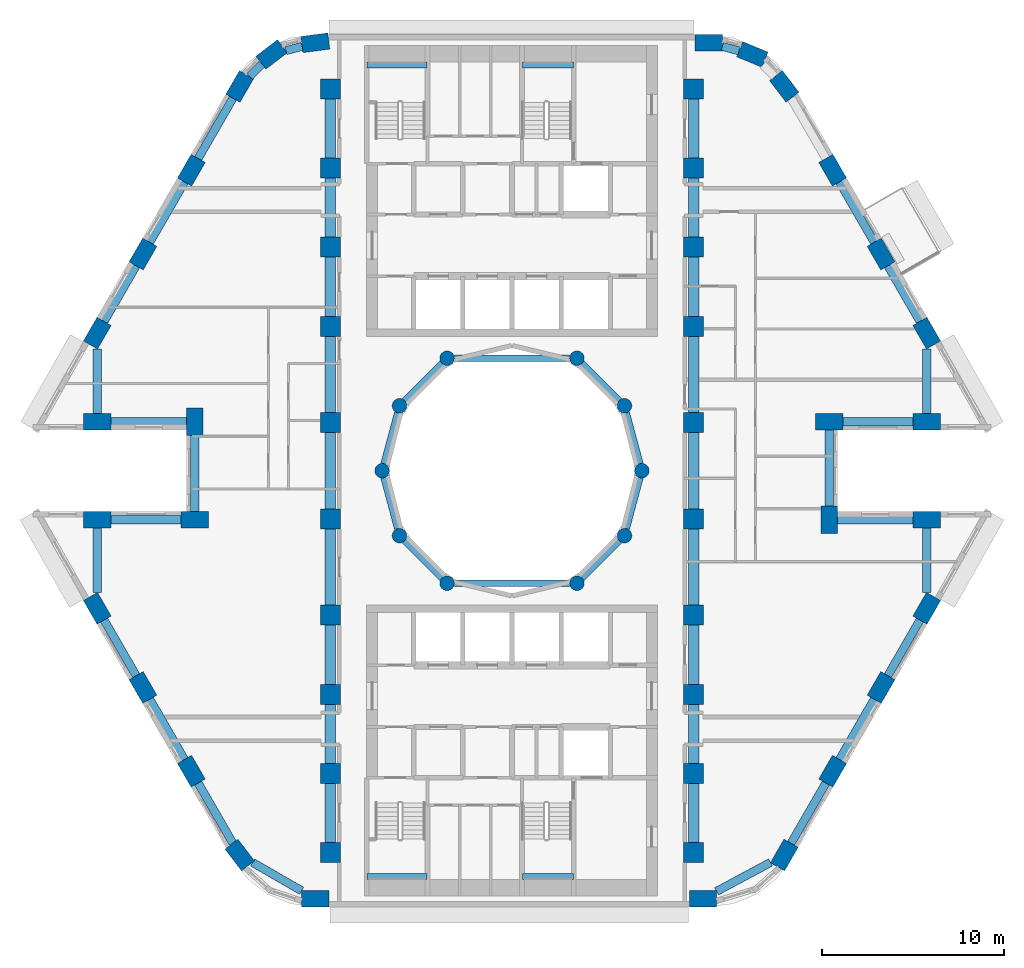
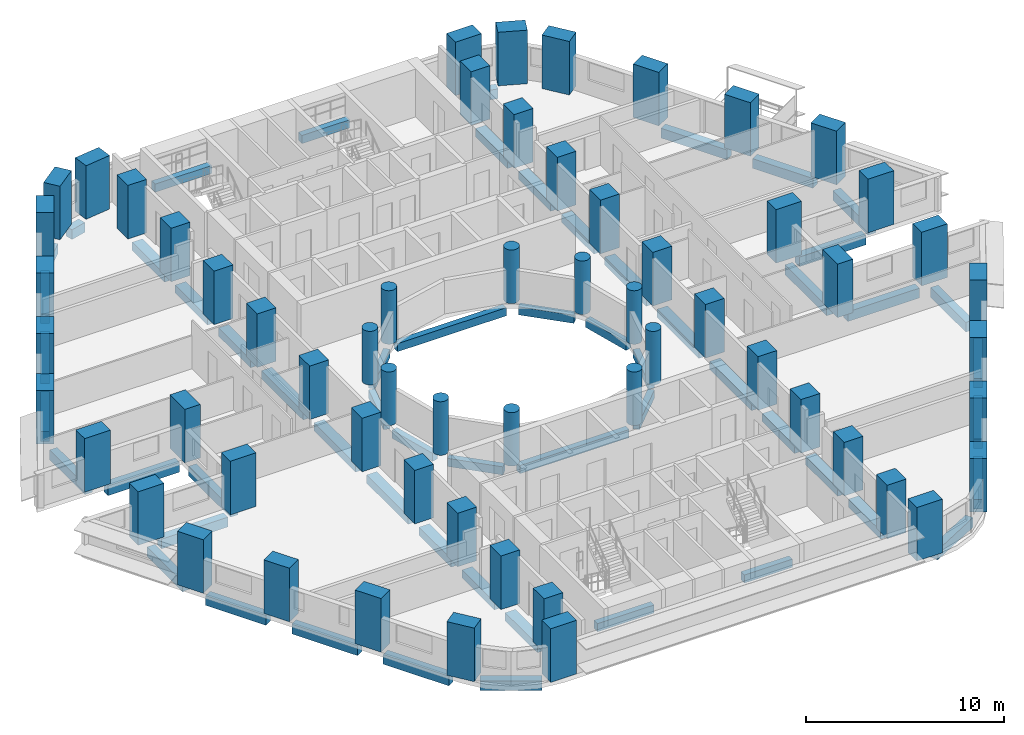
# One storey, part 1 of 13: 60 columns, 58 beams.
"""IFC4 building model written with IfcOpenShell, lengths in metres."""

from ifc_helpers import new_model, si_unit, direction, frame, origin, origin_2d, place, context, subcontext, project, spatial, rectangle, circle, extrude, material, material_profile, profile_set, type_object, element, save


model = new_model("IFC4")

# Units and contexts
model_context = context("Model", 3, precision=1e-05, world=origin(), true_north=direction((0.0, 1.0)))
body_context = subcontext(model_context, "Body", "Model", "MODEL_VIEW")
ifc_project = project(units=[si_unit("LENGTHUNIT", "METRE"), si_unit("AREAUNIT", "SQUARE_METRE"), si_unit("VOLUMEUNIT", "CUBIC_METRE"), si_unit("PLANEANGLEUNIT", "RADIAN"), si_unit("MASSUNIT", "GRAM", prefix="KILO")], contexts=[model_context])

# Site, building, storey
site_placement = place(None, origin())
site = spatial("IfcSite", under=ifc_project, at=site_placement, CompositionType="ELEMENT")
building_placement = place(site_placement, origin())
building = spatial("IfcBuilding", under=site, at=building_placement, Name="Nakaniwa Court", CompositionType="ELEMENT")
storey_placement = place(building_placement, frame((0.0, 0.0, 67.800048828125)))
storey = spatial("IfcBuildingStorey", under=building, at=storey_placement, Name="L18", CompositionType="ELEMENT", Elevation=67.800048828125)

# Columns
ifc_material_1 = material(Name="Concrete C100/115", Category="concrete")
ifc_material_profile_1 = material_profile(ifc_material_1, rectangle(XDim=1.10009765625, YDim=1.10009765625, at=origin_2d()), Name="Concrete C100/115 RC 1100x1100 spine column")
ifc_profile_set_1 = profile_set([ifc_material_profile_1], Name="Concrete C100/115")
column_type_1 = type_object("IfcColumnType", Name="Concrete C100/115 RC 1100x1100 spine column", PredefinedType="COLUMN", material=ifc_profile_set_1)
for number, where, z_axis, x_axis, name in (
    (1, (90.0, 59.0, 0.0), (0.0, 0.0, 1.0), (0.0, 1.0, 0.0), "COLUMN CS-01"),
    (2, (90.0, 63.35009765625, 0.0), (0.0, 0.0, 1.0), (0.0, 1.0, 0.0), "COLUMN CS-02"),
    (3, (90.0, 67.699951171875, 0.0), (0.0, 0.0, 1.0), (0.0, 1.0, 0.0), "COLUMN CS-03"),
    (4, (90.0, 72.050048828125, 0.0), (0.0, 0.0, 1.0), (0.0, 1.0, 0.0), "COLUMN CS-04"),
    (5, (90.0, 77.35009765625, 0.0), (0.0, 0.0, 1.0), (0.0, 1.0, 0.0), "COLUMN CS-05"),
    (6, (90.0, 82.64990234375, 0.0), (0.0, 0.0, 1.0), (0.0, 1.0, 0.0), "COLUMN CS-06"),
    (7, (90.0, 87.949951171875, 0.0), (0.0, 0.0, 1.0), (0.0, 1.0, 0.0), "COLUMN CS-07"),
    (8, (90.0, 92.300048828125, 0.0), (0.0, 0.0, 1.0), (0.0, 1.0, 0.0), "COLUMN CS-08"),
    (9, (90.0, 96.64990234375, 0.0), (0.0, 0.0, 1.0), (0.0, 1.0, 0.0), "COLUMN CS-09"),
    (10, (90.0, 101.0, 0.0), (0.0, 0.0, 1.0), (0.0, 1.0, 0.0), "COLUMN CS-10"),
    (11, (70.0, 101.0, 0.0), (0.0, 0.0, 1.0), (0.0, -1.0, 0.0), "COLUMN CS-11"),
    (12, (70.0, 96.64990234375, 0.0), (0.0, 0.0, 1.0), (0.0, -1.0, 0.0), "COLUMN CS-12"),
    (13, (70.0, 92.300048828125, 0.0), (0.0, 0.0, 1.0), (0.0, -1.0, 0.0), "COLUMN CS-13"),
    (14, (70.0, 87.949951171875, 0.0), (0.0, 0.0, 1.0), (0.0, -1.0, 0.0), "COLUMN CS-14"),
    (15, (70.0, 82.64990234375, 0.0), (0.0, 0.0, 1.0), (0.0, -1.0, 0.0), "COLUMN CS-15"),
    (16, (70.0, 77.35009765625, 0.0), (0.0, 0.0, 1.0), (0.0, -1.0, 0.0), "COLUMN CS-16"),
    (17, (70.0, 72.050048828125, 0.0), (0.0, 0.0, 1.0), (0.0, -1.0, 0.0), "COLUMN CS-17"),
    (18, (70.0, 67.699951171875, 0.0), (0.0, 0.0, 1.0), (0.0, -1.0, 0.0), "COLUMN CS-18"),
    (19, (70.0, 63.35009765625, 0.0), (0.0, 0.0, 1.0), (0.0, -1.0, 0.0), "COLUMN CS-19"),
    (20, (70.0, 59.0, 0.0), (0.0, 0.0, 1.0), (0.0, -1.0, 0.0), "COLUMN CS-20"),
):
    element("IfcColumn", number, at=place(storey_placement, frame(where, z_axis=z_axis, x_axis=x_axis)), inside=storey, type_object=column_type_1, Name=name, PredefinedType="COLUMN", context=body_context, shape_type="SweptSolid", body=[
        extrude(rectangle(XDim=1.10009765625, YDim=1.10009765625, at=origin_2d()), origin(), (0.0, 0.0, 1.0), 3.300048828125),
    ])
ifc_material_profile_2 = material_profile(ifc_material_1, rectangle(XDim=1.5, YDim=0.89990234375, at=origin_2d()), Name="Concrete C100/115 RC 1500x900 perimeter column")
ifc_profile_set_2 = profile_set([ifc_material_profile_2], Name="Concrete C100/115")
column_type_2 = type_object("IfcColumnType", Name="Concrete C100/115 RC 1500x900 perimeter column", PredefinedType="COLUMN", material=ifc_profile_set_2)
for number, where, z_axis, x_axis, name in (
    (21, (69.17529296875, 103.550048828125, 0.0), (0.0, 0.0, 1.0), (-0.991442583111, -0.130543496177, 0.0), "COLUMN CO-01"),
    (22, (66.772705078125, 102.91015625, 0.0), (0.0, 0.0, 1.0), (-0.793363965062, -0.608747582288, 0.0), "COLUMN CO-02"),
    (23, (65.017578125, 101.1494140625, 0.0), (0.0, 0.0, 1.0), (-0.5, -0.866025403784, 0.0), "COLUMN CO-03"),
    (24, (62.3544921875, 96.537109375, 0.0), (0.0, 0.0, 1.0), (-0.5, -0.866025403784, 0.0), "COLUMN CO-04"),
    (25, (59.691650390625, 91.9248046875, 0.0), (0.0, 0.0, 1.0), (-0.5, -0.866025403784, 0.0), "COLUMN CO-05"),
    (26, (57.177001953125, 87.569580078125, 0.0), (0.0, 0.0, 1.0), (-0.5, -0.866025403784, 0.0), "COLUMN CO-06"),
    (27, (57.177001953125, 82.699951171875, 0.0), (0.0, 0.0, 1.0), (1.0, 0.0, 0.0), "COLUMN CO-08"),
    (28, (62.54150390625, 82.699951171875, 0.0), (0.0, 0.0, 1.0), (0.0, -1.0, 0.0), "COLUMN CO-09"),
    (29, (62.54150390625, 77.300048828125, 0.0), (0.0, 0.0, 1.0), (-1.0, 0.0, 0.0), "COLUMN CO-10"),
    (30, (57.177001953125, 77.300048828125, 0.0), (0.0, 0.0, 1.0), (-1.0, 0.0, 0.0), "COLUMN CO-11"),
    (31, (57.177001953125, 72.430419921875, 0.0), (0.0, 0.0, 1.0), (0.5, -0.866025403784, 0.0), "COLUMN CO-13"),
    (32, (59.691650390625, 68.0751953125, 0.0), (0.0, 0.0, 1.0), (0.5, -0.866025403784, 0.0), "COLUMN CO-14"),
    (33, (62.3544921875, 63.462890625, 0.0), (0.0, 0.0, 1.0), (0.5, -0.866025403784, 0.0), "COLUMN CO-15"),
    (34, (65.017578125, 58.8505859375, 0.0), (0.0, 0.0, 1.0), (0.608761429009, -0.793353340291, 0.0), "COLUMN CO-16"),
    (35, (69.17529296875, 56.449951171875, 0.0), (0.0, 0.0, 1.0), (1.0, 0.0, 0.0), "COLUMN CO-17"),
    (36, (90.507080078125, 56.449951171875, 0.0), (0.0, 0.0, 1.0), (1.0, 0.0, 0.0), "COLUMN CO-21"),
    (37, (94.982421875, 58.8505859375, 0.0), (0.0, 0.0, 1.0), (0.5, 0.866025403784, 0.0), "COLUMN CO-22"),
    (38, (97.6455078125, 63.462890625, 0.0), (0.0, 0.0, 1.0), (0.5, 0.866025403784, 0.0), "COLUMN CO-23"),
    (39, (100.308349609375, 68.0751953125, 0.0), (0.0, 0.0, 1.0), (0.5, 0.866025403784, 0.0), "COLUMN CO-24"),
    (40, (102.822998046875, 72.430419921875, 0.0), (0.0, 0.0, 1.0), (0.5, 0.866025403784, 0.0), "COLUMN CO-25"),
    (41, (102.822998046875, 77.300048828125, 0.0), (0.0, 0.0, 1.0), (-1.0, 0.0, 0.0), "COLUMN CO-27"),
    (42, (97.45849609375, 77.300048828125, 0.0), (0.0, 0.0, 1.0), (0.0, 1.0, 0.0), "COLUMN CO-28"),
    (43, (97.45849609375, 82.699951171875, 0.0), (0.0, 0.0, 1.0), (1.0, 0.0, 0.0), "COLUMN CO-29"),
    (44, (102.822998046875, 82.699951171875, 0.0), (0.0, 0.0, 1.0), (1.0, 0.0, 0.0), "COLUMN CO-30"),
    (45, (102.822998046875, 87.569580078125, 0.0), (0.0, 0.0, 1.0), (-0.5, 0.866025403784, 0.0), "COLUMN CO-32"),
    (46, (100.308349609375, 91.9248046875, 0.0), (0.0, 0.0, 1.0), (-0.5, 0.866025403784, 0.0), "COLUMN CO-33"),
    (47, (97.6455078125, 96.537109375, 0.0), (0.0, 0.0, 1.0), (-0.5, 0.866025403784, 0.0), "COLUMN CO-34"),
    (48, (94.982421875, 101.1494140625, 0.0), (0.0, 0.0, 1.0), (-0.608761429009, 0.793353340291, 0.0), "COLUMN CO-35"),
    (49, (93.227294921875, 102.91015625, 0.0), (0.0, 0.0, 1.0), (-0.923879532511, 0.382683432365, 0.0), "COLUMN CO-36"),
    (50, (90.82470703125, 103.550048828125, 0.0), (0.0, 0.0, 1.0), (-1.0, 0.0, 0.0), "COLUMN CO-37"),
):
    element("IfcColumn", number, at=place(storey_placement, frame(where, z_axis=z_axis, x_axis=x_axis)), inside=storey, type_object=column_type_2, Name=name, PredefinedType="COLUMN", context=body_context, shape_type="SweptSolid", body=[
        extrude(rectangle(XDim=1.5, YDim=0.89990234375, at=origin_2d()), origin(), (0.0, 0.0, 1.0), 3.300048828125),
    ])
ifc_material_profile_3 = material_profile(ifc_material_1, circle(Radius=0.39990234375, at=origin_2d()), Name="Concrete C100/115 RC D800 inner ring column")
ifc_profile_set_3 = profile_set([ifc_material_profile_3], Name="Concrete C100/115")
column_type_3 = type_object("IfcColumnType", Name="Concrete C100/115 RC D800 inner ring column", PredefinedType="COLUMN", material=ifc_profile_set_3)
for number, where, z_axis, x_axis, name in (
    (51, (87.14990234375, 80.0, 0.0), (0.0, 0.0, 1.0), (0.0, 1.0, 0.0), "COLUMN CI-01"),
    (52, (86.192138671875, 83.574951171875, 0.0), (0.0, 0.0, 1.0), (-0.5, 0.866025403784, 0.0), "COLUMN CI-02"),
    (53, (83.574951171875, 86.192138671875, 0.0), (0.0, 0.0, 1.0), (-0.866025403784, 0.5, 0.0), "COLUMN CI-03"),
    (54, (76.425048828125, 86.192138671875, 0.0), (0.0, 0.0, 1.0), (-0.866025403784, -0.5, 0.0), "COLUMN CI-05"),
    (55, (73.807861328125, 83.574951171875, 0.0), (0.0, 0.0, 1.0), (-0.5, -0.866025403784, 0.0), "COLUMN CI-06"),
    (56, (72.85009765625, 80.0, 0.0), (0.0, 0.0, 1.0), (0.0, -1.0, 0.0), "COLUMN CI-07"),
    (57, (73.807861328125, 76.425048828125, 0.0), (0.0, 0.0, 1.0), (0.5, -0.866025403784, 0.0), "COLUMN CI-08"),
    (58, (76.425048828125, 73.807861328125, 0.0), (0.0, 0.0, 1.0), (0.866025403784, -0.5, 0.0), "COLUMN CI-09"),
    (59, (83.574951171875, 73.807861328125, 0.0), (0.0, 0.0, 1.0), (0.866025403784, 0.5, 0.0), "COLUMN CI-11"),
    (60, (86.192138671875, 76.425048828125, 0.0), (0.0, 0.0, 1.0), (0.5, 0.866025403784, 0.0), "COLUMN CI-12"),
):
    element("IfcColumn", number, at=place(storey_placement, frame(where, z_axis=z_axis, x_axis=x_axis)), inside=storey, type_object=column_type_3, Name=name, PredefinedType="COLUMN", context=body_context, shape_type="SweptSolid", body=[
        extrude(circle(Radius=0.39990234375, at=origin_2d()), origin(), (0.0, 0.0, 1.0), 3.300048828125),
    ])

# Beams
ifc_material_profile_4 = material_profile(ifc_material_1, rectangle(XDim=0.35009765625, YDim=0.5, at=origin_2d()), Name="Concrete C100/115 RC 350x500 ring beam")
ifc_profile_set_4 = profile_set([ifc_material_profile_4], Name="Concrete C100/115")
beam_type_1 = type_object("IfcBeamType", Name="Concrete C100/115 RC 350x500 ring beam", PredefinedType="BEAM", material=ifc_profile_set_4)
beam_1_placement = place(storey_placement, frame((87.04638671875, 80.386474609375, -0.525146484375), z_axis=(-0.258778150207, 0.965936783115, 0.0), x_axis=(-0.965936783115, -0.258778150207, 0.0)))
element("IfcBeam", 61, at=beam_1_placement, inside=storey, type_object=beam_type_1, Name="RING BEAM", PredefinedType="BEAM", context=body_context, shape_type="SweptSolid", body=[
    extrude(rectangle(XDim=0.35009765625, YDim=0.5, at=origin_2d()), origin(), (0.0, 0.0, 1.0), 2.901123046875),
])
beam_2_placement = place(storey_placement, frame((85.9091796875, 83.85791015625, -0.525146484375), z_axis=(-0.707106781187, 0.707106781187, 0.0), x_axis=(-0.707106781187, -0.707106781187, 0.0)))
element("IfcBeam", 62, at=beam_2_placement, inside=storey, type_object=beam_type_1, Name="RING BEAM", PredefinedType="BEAM", context=body_context, shape_type="SweptSolid", body=[
    extrude(rectangle(XDim=0.35009765625, YDim=0.5, at=origin_2d()), origin(), (0.0, 0.0, 1.0), 2.90087890625),
])
beam_3_placement = place(storey_placement, frame((83.175048828125, 86.192138671875, -0.525146484375), z_axis=(-1.0, 0.0, 0.0), x_axis=(0.0, -1.0, 0.0)))
element("IfcBeam", 63, at=beam_3_placement, inside=storey, type_object=beam_type_1, Name="RING BEAM", PredefinedType="BEAM", context=body_context, shape_type="SweptSolid", body=[
    extrude(rectangle(XDim=0.35009765625, YDim=0.5, at=origin_2d()), origin(), (0.0, 0.0, 1.0), 6.35009765625),
])
beam_4_placement = place(storey_placement, frame((76.14208984375, 85.9091796875, -0.525146484375), z_axis=(-0.707106781187, -0.707106781187, 0.0), x_axis=(0.707106781187, -0.707106781187, 0.0)))
element("IfcBeam", 64, at=beam_4_placement, inside=storey, type_object=beam_type_1, Name="RING BEAM", PredefinedType="BEAM", context=body_context, shape_type="SweptSolid", body=[
    extrude(rectangle(XDim=0.35009765625, YDim=0.5, at=origin_2d()), origin(), (0.0, 0.0, 1.0), 2.90087890625),
])
for number, where, z_axis, x_axis, name in (
    (65, (73.704345703125, 83.188720703125, -0.525146484375), (-0.258778150207, -0.965936783115, 0.0), (0.965936783115, -0.258778150207, 0.0), "RING BEAM"),
    (66, (72.95361328125, 79.613525390625, -0.525146484375), (0.258778150207, -0.965936783115, 0.0), (0.965936783115, 0.258778150207, 0.0), "RING BEAM"),
):
    element("IfcBeam", number, at=place(storey_placement, frame(where, z_axis=z_axis, x_axis=x_axis)), inside=storey, type_object=beam_type_1, Name=name, PredefinedType="BEAM", context=body_context, shape_type="SweptSolid", body=[
        extrude(rectangle(XDim=0.35009765625, YDim=0.5, at=origin_2d()), origin(), (0.0, 0.0, 1.0), 2.901123046875),
    ])
beam_5_placement = place(storey_placement, frame((74.0908203125, 76.14208984375, -0.525146484375), z_axis=(0.707106781187, -0.707106781187, 0.0), x_axis=(0.707106781187, 0.707106781187, 0.0)))
element("IfcBeam", 67, at=beam_5_placement, inside=storey, type_object=beam_type_1, Name="RING BEAM", PredefinedType="BEAM", context=body_context, shape_type="SweptSolid", body=[
    extrude(rectangle(XDim=0.35009765625, YDim=0.5, at=origin_2d()), origin(), (0.0, 0.0, 1.0), 2.90087890625),
])
beam_6_placement = place(storey_placement, frame((76.824951171875, 73.807861328125, -0.525146484375), z_axis=(1.0, 0.0, 0.0), x_axis=(0.0, 1.0, 0.0)))
element("IfcBeam", 68, at=beam_6_placement, inside=storey, type_object=beam_type_1, Name="RING BEAM", PredefinedType="BEAM", context=body_context, shape_type="SweptSolid", body=[
    extrude(rectangle(XDim=0.35009765625, YDim=0.5, at=origin_2d()), origin(), (0.0, 0.0, 1.0), 6.35009765625),
])
beam_7_placement = place(storey_placement, frame((83.85791015625, 74.0908203125, -0.525146484375), z_axis=(0.707106781187, 0.707106781187, 0.0), x_axis=(-0.707106781187, 0.707106781187, 0.0)))
element("IfcBeam", 69, at=beam_7_placement, inside=storey, type_object=beam_type_1, Name="RING BEAM", PredefinedType="BEAM", context=body_context, shape_type="SweptSolid", body=[
    extrude(rectangle(XDim=0.35009765625, YDim=0.5, at=origin_2d()), origin(), (0.0, 0.0, 1.0), 2.90087890625),
])
beam_8_placement = place(storey_placement, frame((86.295654296875, 76.811279296875, -0.525146484375), z_axis=(0.258778150207, 0.965936783115, 0.0), x_axis=(-0.965936783115, 0.258778150207, 0.0)))
element("IfcBeam", 70, at=beam_8_placement, inside=storey, type_object=beam_type_1, Name="RING BEAM", PredefinedType="BEAM", context=body_context, shape_type="SweptSolid", body=[
    extrude(rectangle(XDim=0.35009765625, YDim=0.5, at=origin_2d()), origin(), (0.0, 0.0, 1.0), 2.901123046875),
])
ifc_material_profile_5 = material_profile(ifc_material_1, rectangle(XDim=0.449951171875, YDim=0.60009765625, at=origin_2d()), Name="Concrete C100/115 RC 450x600 spandrel beam")
ifc_profile_set_5 = profile_set([ifc_material_profile_5], Name="Concrete C100/115")
beam_type_2 = type_object("IfcBeamType", Name="Concrete C100/115 RC 450x600 spandrel beam", PredefinedType="BEAM", material=ifc_profile_set_5)
beam_9_placement = place(storey_placement, frame((68.444580078125, 103.35546875, -0.574951171875), z_axis=(-0.966287893493, -0.25746399144, 0.0), x_axis=(0.25746399144, -0.966287893493, 0.0)))
element("IfcBeam", 71, at=beam_9_placement, inside=storey, type_object=beam_type_2, Name="SPANDREL BEAM", PredefinedType="BEAM", context=body_context, shape_type="SweptSolid", body=[
    extrude(rectangle(XDim=0.449951171875, YDim=0.60009765625, at=origin_2d()), origin(), (0.0, 0.0, 1.0), 0.91796875),
])
beam_10_placement = place(storey_placement, frame((66.238525390625, 102.374267578125, -0.574951171875), z_axis=(-0.706081618928, -0.708130459317, 0.0), x_axis=(0.708130459317, -0.706081618928, 0.0)))
element("IfcBeam", 72, at=beam_10_placement, inside=storey, type_object=beam_type_2, Name="SPANDREL BEAM", PredefinedType="BEAM", context=body_context, shape_type="SweptSolid", body=[
    extrude(rectangle(XDim=0.449951171875, YDim=0.60009765625, at=origin_2d()), origin(), (0.0, 0.0, 1.0), 0.953369140625),
])
beam_11_placement = place(storey_placement, frame((64.642578125, 100.5, -0.574951171875), z_axis=(-0.500009674092, -0.866019818373, 0.0), x_axis=(0.866019818373, -0.500009674092, 0.0)))
element("IfcBeam", 73, at=beam_11_placement, inside=storey, type_object=beam_type_2, Name="SPANDREL BEAM", PredefinedType="BEAM", context=body_context, shape_type="SweptSolid", body=[
    extrude(rectangle(XDim=0.449951171875, YDim=0.60009765625, at=origin_2d()), origin(), (0.0, 0.0, 1.0), 3.826171875),
])
beam_12_placement = place(storey_placement, frame((61.9794921875, 95.8876953125, -0.574951171875), z_axis=(-0.499961815444, -0.866047448526, 0.0), x_axis=(0.866047448526, -0.499961815444, 0.0)))
element("IfcBeam", 74, at=beam_12_placement, inside=storey, type_object=beam_type_2, Name="SPANDREL BEAM", PredefinedType="BEAM", context=body_context, shape_type="SweptSolid", body=[
    extrude(rectangle(XDim=0.449951171875, YDim=0.60009765625, at=origin_2d()), origin(), (0.0, 0.0, 1.0), 3.825927734375),
])
beam_13_placement = place(storey_placement, frame((59.316650390625, 91.275146484375, -0.574951171875), z_axis=(-0.500067800301, -0.865986255723, 0.0), x_axis=(0.865986255723, -0.500067800301, 0.0)))
element("IfcBeam", 75, at=beam_13_placement, inside=storey, type_object=beam_type_2, Name="SPANDREL BEAM", PredefinedType="BEAM", context=body_context, shape_type="SweptSolid", body=[
    extrude(rectangle(XDim=0.449951171875, YDim=0.60009765625, at=origin_2d()), origin(), (0.0, 0.0, 1.0), 3.52880859375),
])
beam_14_placement = place(storey_placement, frame((57.177001953125, 86.70361328125, -0.574951171875), z_axis=(0.0, -1.0, 0.0), x_axis=(1.0, 0.0, 0.0)))
element("IfcBeam", 76, at=beam_14_placement, inside=storey, type_object=beam_type_2, Name="SPANDREL BEAM", PredefinedType="BEAM", context=body_context, shape_type="SweptSolid", body=[
    extrude(rectangle(XDim=0.449951171875, YDim=0.60009765625, at=origin_2d()), origin(), (0.0, 0.0, 1.0), 3.5537109375),
])
beam_15_placement = place(storey_placement, frame((57.927001953125, 82.699951171875, -0.574951171875), z_axis=(1.0, 0.0, 0.0), x_axis=(0.0, 1.0, 0.0)))
element("IfcBeam", 77, at=beam_15_placement, inside=storey, type_object=beam_type_2, Name="SPANDREL BEAM", PredefinedType="BEAM", context=body_context, shape_type="SweptSolid", body=[
    extrude(rectangle(XDim=0.449951171875, YDim=0.60009765625, at=origin_2d()), origin(), (0.0, 0.0, 1.0), 4.16455078125),
])
beam_16_placement = place(storey_placement, frame((62.54150390625, 81.949951171875, -0.574951171875), z_axis=(0.0, -1.0, 0.0), x_axis=(1.0, 0.0, 0.0)))
element("IfcBeam", 78, at=beam_16_placement, inside=storey, type_object=beam_type_2, Name="SPANDREL BEAM", PredefinedType="BEAM", context=body_context, shape_type="SweptSolid", body=[
    extrude(rectangle(XDim=0.449951171875, YDim=0.60009765625, at=origin_2d()), origin(), (0.0, 0.0, 1.0), 4.199951171875),
])
beam_17_placement = place(storey_placement, frame((61.79150390625, 77.300048828125, -0.574951171875), z_axis=(-1.0, 0.0, 0.0), x_axis=(0.0, -1.0, 0.0)))
element("IfcBeam", 79, at=beam_17_placement, inside=storey, type_object=beam_type_2, Name="SPANDREL BEAM", PredefinedType="BEAM", context=body_context, shape_type="SweptSolid", body=[
    extrude(rectangle(XDim=0.449951171875, YDim=0.60009765625, at=origin_2d()), origin(), (0.0, 0.0, 1.0), 3.864501953125),
])
beam_18_placement = place(storey_placement, frame((57.177001953125, 76.85009765625, -0.574951171875), z_axis=(0.0, -1.0, 0.0), x_axis=(1.0, 0.0, 0.0)))
element("IfcBeam", 80, at=beam_18_placement, inside=storey, type_object=beam_type_2, Name="SPANDREL BEAM", PredefinedType="BEAM", context=body_context, shape_type="SweptSolid", body=[
    extrude(rectangle(XDim=0.449951171875, YDim=0.60009765625, at=origin_2d()), origin(), (0.0, 0.0, 1.0), 3.5537109375),
])
beam_19_placement = place(storey_placement, frame((57.552001953125, 71.78076171875, -0.574951171875), z_axis=(0.500067800301, -0.865986255723, 0.0), x_axis=(0.865986255723, 0.500067800301, 0.0)))
element("IfcBeam", 81, at=beam_19_placement, inside=storey, type_object=beam_type_2, Name="SPANDREL BEAM", PredefinedType="BEAM", context=body_context, shape_type="SweptSolid", body=[
    extrude(rectangle(XDim=0.449951171875, YDim=0.60009765625, at=origin_2d()), origin(), (0.0, 0.0, 1.0), 3.52880859375),
])
beam_20_placement = place(storey_placement, frame((60.066650390625, 67.42578125, -0.574951171875), z_axis=(0.499961815444, -0.866047448526, 0.0), x_axis=(0.866047448526, 0.499961815444, 0.0)))
element("IfcBeam", 82, at=beam_20_placement, inside=storey, type_object=beam_type_2, Name="SPANDREL BEAM", PredefinedType="BEAM", context=body_context, shape_type="SweptSolid", body=[
    extrude(rectangle(XDim=0.449951171875, YDim=0.60009765625, at=origin_2d()), origin(), (0.0, 0.0, 1.0), 3.825927734375),
])
beam_21_placement = place(storey_placement, frame((62.7294921875, 62.8134765625, -0.574951171875), z_axis=(0.500023067617, -0.86601208528, 0.0), x_axis=(0.86601208528, 0.500023067617, 0.0)))
element("IfcBeam", 83, at=beam_21_placement, inside=storey, type_object=beam_type_2, Name="SPANDREL BEAM", PredefinedType="BEAM", context=body_context, shape_type="SweptSolid", body=[
    extrude(rectangle(XDim=0.449951171875, YDim=0.60009765625, at=origin_2d()), origin(), (0.0, 0.0, 1.0), 3.819580078125),
])
beam_22_placement = place(storey_placement, frame((65.720458984375, 58.444580078125, -0.574951171875), z_axis=(0.866041096587, -0.499972818284, 0.0), x_axis=(0.499972818284, 0.866041096587, 0.0)))
element("IfcBeam", 84, at=beam_22_placement, inside=storey, type_object=beam_type_2, Name="SPANDREL BEAM", PredefinedType="BEAM", context=body_context, shape_type="SweptSolid", body=[
    extrude(rectangle(XDim=0.449951171875, YDim=0.60009765625, at=origin_2d()), origin(), (0.0, 0.0, 1.0), 3.123291015625),
])
beam_23_placement = place(storey_placement, frame((91.257080078125, 56.852294921875, -0.574951171875), z_axis=(0.881234537383, 0.472679267711, 0.0), x_axis=(-0.472679267711, 0.881234537383, 0.0)))
element("IfcBeam", 85, at=beam_23_placement, inside=storey, type_object=beam_type_2, Name="SPANDREL BEAM", PredefinedType="BEAM", context=body_context, shape_type="SweptSolid", body=[
    extrude(rectangle(XDim=0.449951171875, YDim=0.60009765625, at=origin_2d()), origin(), (0.0, 0.0, 1.0), 3.373291015625),
])
beam_24_placement = place(storey_placement, frame((95.357421875, 59.5, -0.574951171875), z_axis=(0.500009674092, 0.866019818373, 0.0), x_axis=(-0.866019818373, 0.500009674092, 0.0)))
element("IfcBeam", 86, at=beam_24_placement, inside=storey, type_object=beam_type_2, Name="SPANDREL BEAM", PredefinedType="BEAM", context=body_context, shape_type="SweptSolid", body=[
    extrude(rectangle(XDim=0.449951171875, YDim=0.60009765625, at=origin_2d()), origin(), (0.0, 0.0, 1.0), 3.826171875),
])
beam_25_placement = place(storey_placement, frame((98.0205078125, 64.1123046875, -0.574951171875), z_axis=(0.499961815444, 0.866047448526, 0.0), x_axis=(-0.866047448526, 0.499961815444, 0.0)))
element("IfcBeam", 87, at=beam_25_placement, inside=storey, type_object=beam_type_2, Name="SPANDREL BEAM", PredefinedType="BEAM", context=body_context, shape_type="SweptSolid", body=[
    extrude(rectangle(XDim=0.449951171875, YDim=0.60009765625, at=origin_2d()), origin(), (0.0, 0.0, 1.0), 3.825927734375),
])
beam_26_placement = place(storey_placement, frame((100.683349609375, 68.724853515625, -0.574951171875), z_axis=(0.500067800301, 0.865986255723, 0.0), x_axis=(-0.865986255723, 0.500067800301, 0.0)))
element("IfcBeam", 88, at=beam_26_placement, inside=storey, type_object=beam_type_2, Name="SPANDREL BEAM", PredefinedType="BEAM", context=body_context, shape_type="SweptSolid", body=[
    extrude(rectangle(XDim=0.449951171875, YDim=0.60009765625, at=origin_2d()), origin(), (0.0, 0.0, 1.0), 3.52880859375),
])
beam_27_placement = place(storey_placement, frame((102.822998046875, 73.29638671875, -0.574951171875), z_axis=(0.0, 1.0, 0.0), x_axis=(-1.0, 0.0, 0.0)))
element("IfcBeam", 89, at=beam_27_placement, inside=storey, type_object=beam_type_2, Name="SPANDREL BEAM", PredefinedType="BEAM", context=body_context, shape_type="SweptSolid", body=[
    extrude(rectangle(XDim=0.449951171875, YDim=0.60009765625, at=origin_2d()), origin(), (0.0, 0.0, 1.0), 3.5537109375),
])
beam_28_placement = place(storey_placement, frame((102.072998046875, 77.300048828125, -0.574951171875), z_axis=(-1.0, 0.0, 0.0), x_axis=(0.0, -1.0, 0.0)))
element("IfcBeam", 90, at=beam_28_placement, inside=storey, type_object=beam_type_2, Name="SPANDREL BEAM", PredefinedType="BEAM", context=body_context, shape_type="SweptSolid", body=[
    extrude(rectangle(XDim=0.449951171875, YDim=0.60009765625, at=origin_2d()), origin(), (0.0, 0.0, 1.0), 4.16455078125),
])
beam_29_placement = place(storey_placement, frame((97.45849609375, 78.050048828125, -0.574951171875), z_axis=(0.0, 1.0, 0.0), x_axis=(-1.0, 0.0, 0.0)))
element("IfcBeam", 91, at=beam_29_placement, inside=storey, type_object=beam_type_2, Name="SPANDREL BEAM", PredefinedType="BEAM", context=body_context, shape_type="SweptSolid", body=[
    extrude(rectangle(XDim=0.449951171875, YDim=0.60009765625, at=origin_2d()), origin(), (0.0, 0.0, 1.0), 4.199951171875),
])
beam_30_placement = place(storey_placement, frame((98.20849609375, 82.699951171875, -0.574951171875), z_axis=(1.0, 0.0, 0.0), x_axis=(0.0, 1.0, 0.0)))
element("IfcBeam", 92, at=beam_30_placement, inside=storey, type_object=beam_type_2, Name="SPANDREL BEAM", PredefinedType="BEAM", context=body_context, shape_type="SweptSolid", body=[
    extrude(rectangle(XDim=0.449951171875, YDim=0.60009765625, at=origin_2d()), origin(), (0.0, 0.0, 1.0), 3.864501953125),
])
beam_31_placement = place(storey_placement, frame((102.822998046875, 83.14990234375, -0.574951171875), z_axis=(0.0, 1.0, 0.0), x_axis=(-1.0, 0.0, 0.0)))
element("IfcBeam", 93, at=beam_31_placement, inside=storey, type_object=beam_type_2, Name="SPANDREL BEAM", PredefinedType="BEAM", context=body_context, shape_type="SweptSolid", body=[
    extrude(rectangle(XDim=0.449951171875, YDim=0.60009765625, at=origin_2d()), origin(), (0.0, 0.0, 1.0), 3.5537109375),
])
beam_32_placement = place(storey_placement, frame((102.447998046875, 88.21923828125, -0.574951171875), z_axis=(-0.500067800301, 0.865986255723, 0.0), x_axis=(-0.865986255723, -0.500067800301, 0.0)))
element("IfcBeam", 94, at=beam_32_placement, inside=storey, type_object=beam_type_2, Name="SPANDREL BEAM", PredefinedType="BEAM", context=body_context, shape_type="SweptSolid", body=[
    extrude(rectangle(XDim=0.449951171875, YDim=0.60009765625, at=origin_2d()), origin(), (0.0, 0.0, 1.0), 3.52880859375),
])
beam_33_placement = place(storey_placement, frame((99.933349609375, 92.57421875, -0.574951171875), z_axis=(-0.499961815444, 0.866047448526, 0.0), x_axis=(-0.866047448526, -0.499961815444, 0.0)))
element("IfcBeam", 95, at=beam_33_placement, inside=storey, type_object=beam_type_2, Name="SPANDREL BEAM", PredefinedType="BEAM", context=body_context, shape_type="SweptSolid", body=[
    extrude(rectangle(XDim=0.449951171875, YDim=0.60009765625, at=origin_2d()), origin(), (0.0, 0.0, 1.0), 3.825927734375),
])
beam_34_placement = place(storey_placement, frame((92.49609375, 103.10498046875, -0.574951171875), z_axis=(-0.966324126494, 0.257327966912, 0.0), x_axis=(-0.257327966912, -0.966324126494, 0.0)))
element("IfcBeam", 96, at=beam_34_placement, inside=storey, type_object=beam_type_2, Name="SPANDREL BEAM", PredefinedType="BEAM", context=body_context, shape_type="SweptSolid", body=[
    extrude(rectangle(XDim=0.449951171875, YDim=0.60009765625, at=origin_2d()), origin(), (0.0, 0.0, 1.0), 0.95361328125),
])
ifc_material_profile_6 = material_profile(ifc_material_1, rectangle(XDim=0.60009765625, YDim=0.5, at=origin_2d()), Name="Concrete C100/115 RC 600x500 ring beam")
ifc_profile_set_6 = profile_set([ifc_material_profile_6], Name="Concrete C100/115")
beam_type_3 = type_object("IfcBeamType", Name="Concrete C100/115 RC 600x500 ring beam", PredefinedType="BEAM", material=ifc_profile_set_6)
for number, where, z_axis, x_axis, name in (
    (97, (90.0, 59.550048828125, -0.525146484375), (0.0, 1.0, 0.0), (-1.0, 0.0, 0.0), "RING BEAM"),
    (98, (90.0, 63.89990234375, -0.525146484375), (0.0, 1.0, 0.0), (-1.0, 0.0, 0.0), "RING BEAM"),
    (99, (90.0, 68.25, -0.525146484375), (0.0, 1.0, 0.0), (-1.0, 0.0, 0.0), "RING BEAM"),
):
    element("IfcBeam", number, at=place(storey_placement, frame(where, z_axis=z_axis, x_axis=x_axis)), inside=storey, type_object=beam_type_3, Name=name, PredefinedType="BEAM", context=body_context, shape_type="SweptSolid", body=[
        extrude(rectangle(XDim=0.60009765625, YDim=0.5, at=origin_2d()), origin(), (0.0, 0.0, 1.0), 3.25),
    ])
beam_35_placement = place(storey_placement, frame((90.0, 72.60009765625, -0.525146484375), z_axis=(0.0, 1.0, 0.0), x_axis=(-1.0, 0.0, 0.0)))
element("IfcBeam", 100, at=beam_35_placement, inside=storey, type_object=beam_type_3, Name="RING BEAM", PredefinedType="BEAM", context=body_context, shape_type="SweptSolid", body=[
    extrude(rectangle(XDim=0.60009765625, YDim=0.5, at=origin_2d()), origin(), (0.0, 0.0, 1.0), 4.199951171875),
])
beam_36_placement = place(storey_placement, frame((90.0, 77.89990234375, -0.525146484375), z_axis=(0.0, 1.0, 0.0), x_axis=(-1.0, 0.0, 0.0)))
element("IfcBeam", 101, at=beam_36_placement, inside=storey, type_object=beam_type_3, Name="RING BEAM", PredefinedType="BEAM", context=body_context, shape_type="SweptSolid", body=[
    extrude(rectangle(XDim=0.60009765625, YDim=0.5, at=origin_2d()), origin(), (0.0, 0.0, 1.0), 4.2001953125),
])
beam_37_placement = place(storey_placement, frame((90.0, 83.199951171875, -0.525146484375), z_axis=(0.0, 1.0, 0.0), x_axis=(-1.0, 0.0, 0.0)))
element("IfcBeam", 102, at=beam_37_placement, inside=storey, type_object=beam_type_3, Name="RING BEAM", PredefinedType="BEAM", context=body_context, shape_type="SweptSolid", body=[
    extrude(rectangle(XDim=0.60009765625, YDim=0.5, at=origin_2d()), origin(), (0.0, 0.0, 1.0), 4.199951171875),
])
for number, where, z_axis, x_axis, name in (
    (103, (90.0, 88.5, -0.525146484375), (0.0, 1.0, 0.0), (-1.0, 0.0, 0.0), "RING BEAM"),
    (104, (90.0, 92.85009765625, -0.525146484375), (0.0, 1.0, 0.0), (-1.0, 0.0, 0.0), "RING BEAM"),
    (105, (90.0, 97.199951171875, -0.525146484375), (0.0, 1.0, 0.0), (-1.0, 0.0, 0.0), "RING BEAM"),
    (106, (70.0, 100.449951171875, -0.525146484375), (0.0, -1.0, 0.0), (1.0, 0.0, 0.0), "RING BEAM"),
    (107, (70.0, 96.10009765625, -0.525146484375), (0.0, -1.0, 0.0), (1.0, 0.0, 0.0), "RING BEAM"),
    (108, (70.0, 91.75, -0.525146484375), (0.0, -1.0, 0.0), (1.0, 0.0, 0.0), "RING BEAM"),
):
    element("IfcBeam", number, at=place(storey_placement, frame(where, z_axis=z_axis, x_axis=x_axis)), inside=storey, type_object=beam_type_3, Name=name, PredefinedType="BEAM", context=body_context, shape_type="SweptSolid", body=[
        extrude(rectangle(XDim=0.60009765625, YDim=0.5, at=origin_2d()), origin(), (0.0, 0.0, 1.0), 3.25),
    ])
beam_38_placement = place(storey_placement, frame((70.0, 87.39990234375, -0.525146484375), z_axis=(0.0, -1.0, 0.0), x_axis=(1.0, 0.0, 0.0)))
element("IfcBeam", 109, at=beam_38_placement, inside=storey, type_object=beam_type_3, Name="RING BEAM", PredefinedType="BEAM", context=body_context, shape_type="SweptSolid", body=[
    extrude(rectangle(XDim=0.60009765625, YDim=0.5, at=origin_2d()), origin(), (0.0, 0.0, 1.0), 4.199951171875),
])
beam_39_placement = place(storey_placement, frame((70.0, 82.10009765625, -0.525146484375), z_axis=(0.0, -1.0, 0.0), x_axis=(1.0, 0.0, 0.0)))
element("IfcBeam", 110, at=beam_39_placement, inside=storey, type_object=beam_type_3, Name="RING BEAM", PredefinedType="BEAM", context=body_context, shape_type="SweptSolid", body=[
    extrude(rectangle(XDim=0.60009765625, YDim=0.5, at=origin_2d()), origin(), (0.0, 0.0, 1.0), 4.2001953125),
])
beam_40_placement = place(storey_placement, frame((70.0, 76.800048828125, -0.525146484375), z_axis=(0.0, -1.0, 0.0), x_axis=(1.0, 0.0, 0.0)))
element("IfcBeam", 111, at=beam_40_placement, inside=storey, type_object=beam_type_3, Name="RING BEAM", PredefinedType="BEAM", context=body_context, shape_type="SweptSolid", body=[
    extrude(rectangle(XDim=0.60009765625, YDim=0.5, at=origin_2d()), origin(), (0.0, 0.0, 1.0), 4.199951171875),
])
for number, where, z_axis, x_axis, name in (
    (112, (70.0, 71.5, -0.525146484375), (0.0, -1.0, 0.0), (1.0, 0.0, 0.0), "RING BEAM"),
    (113, (70.0, 67.14990234375, -0.525146484375), (0.0, -1.0, 0.0), (1.0, 0.0, 0.0), "RING BEAM"),
    (114, (70.0, 62.800048828125, -0.525146484375), (0.0, -1.0, 0.0), (1.0, 0.0, 0.0), "RING BEAM"),
):
    element("IfcBeam", number, at=place(storey_placement, frame(where, z_axis=z_axis, x_axis=x_axis)), inside=storey, type_object=beam_type_3, Name=name, PredefinedType="BEAM", context=body_context, shape_type="SweptSolid", body=[
        extrude(rectangle(XDim=0.60009765625, YDim=0.5, at=origin_2d()), origin(), (0.0, 0.0, 1.0), 3.25),
    ])
ifc_material_2 = material(Name="Concrete C80/100", Category="concrete")
ifc_material_profile_7 = material_profile(ifc_material_2, rectangle(XDim=0.35009765625, YDim=0.5, at=origin_2d()), Name="Concrete C80/100 RC 350x500 landing ledge beam")
ifc_profile_set_7 = profile_set([ifc_material_profile_7], Name="Concrete C80/100")
beam_type_4 = type_object("IfcBeamType", Name="Concrete C80/100 RC 350x500 landing ledge beam", PredefinedType="BEAM", material=ifc_profile_set_7)
beam_41_placement = place(storey_placement, frame((72.02490234375, 102.324951171875, 1.199951171875), z_axis=(1.0, 0.0, 0.0), x_axis=(0.0, 1.0, 0.0)))
element("IfcBeam", 115, at=beam_41_placement, inside=storey, type_object=beam_type_4, Name="LANDING LEDGE BEAM", PredefinedType="BEAM", context=body_context, shape_type="SweptSolid", body=[
    extrude(rectangle(XDim=0.35009765625, YDim=0.5, at=origin_2d()), origin(), (0.0, 0.0, 1.0), 3.300048828125),
])
beam_42_placement = place(storey_placement, frame((80.574951171875, 102.324951171875, 1.199951171875), z_axis=(1.0, 0.0, 0.0), x_axis=(0.0, 1.0, 0.0)))
element("IfcBeam", 116, at=beam_42_placement, inside=storey, type_object=beam_type_4, Name="LANDING LEDGE BEAM", PredefinedType="BEAM", context=body_context, shape_type="SweptSolid", body=[
    extrude(rectangle(XDim=0.35009765625, YDim=0.5, at=origin_2d()), origin(), (0.0, 0.0, 1.0), 2.800048828125),
])
beam_43_placement = place(storey_placement, frame((72.02490234375, 57.675048828125, 1.199951171875), z_axis=(1.0, 0.0, 0.0), x_axis=(0.0, 1.0, 0.0)))
element("IfcBeam", 117, at=beam_43_placement, inside=storey, type_object=beam_type_4, Name="LANDING LEDGE BEAM", PredefinedType="BEAM", context=body_context, shape_type="SweptSolid", body=[
    extrude(rectangle(XDim=0.35009765625, YDim=0.5, at=origin_2d()), origin(), (0.0, 0.0, 1.0), 3.300048828125),
])
beam_44_placement = place(storey_placement, frame((80.574951171875, 57.675048828125, 1.199951171875), z_axis=(1.0, 0.0, 0.0), x_axis=(0.0, 1.0, 0.0)))
element("IfcBeam", 118, at=beam_44_placement, inside=storey, type_object=beam_type_4, Name="LANDING LEDGE BEAM", PredefinedType="BEAM", context=body_context, shape_type="SweptSolid", body=[
    extrude(rectangle(XDim=0.35009765625, YDim=0.5, at=origin_2d()), origin(), (0.0, 0.0, 1.0), 2.800048828125),
])

save(model, "model.ifc")
